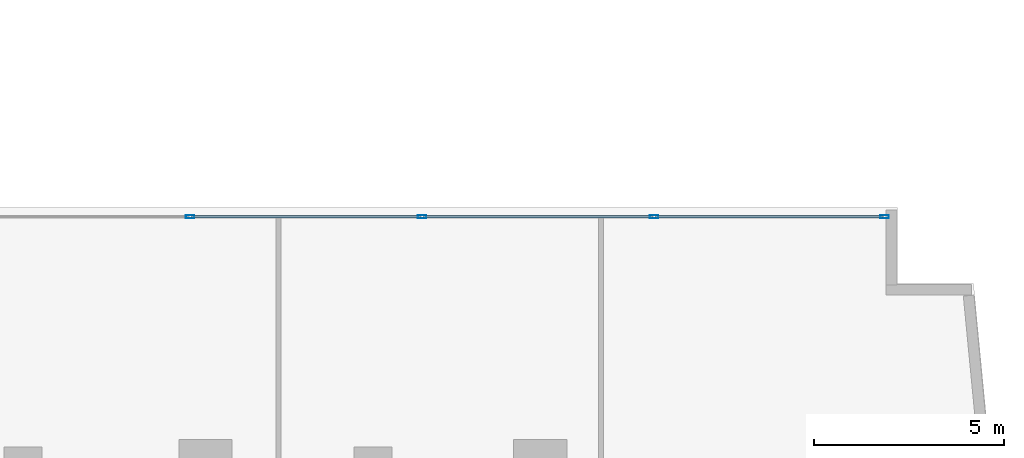
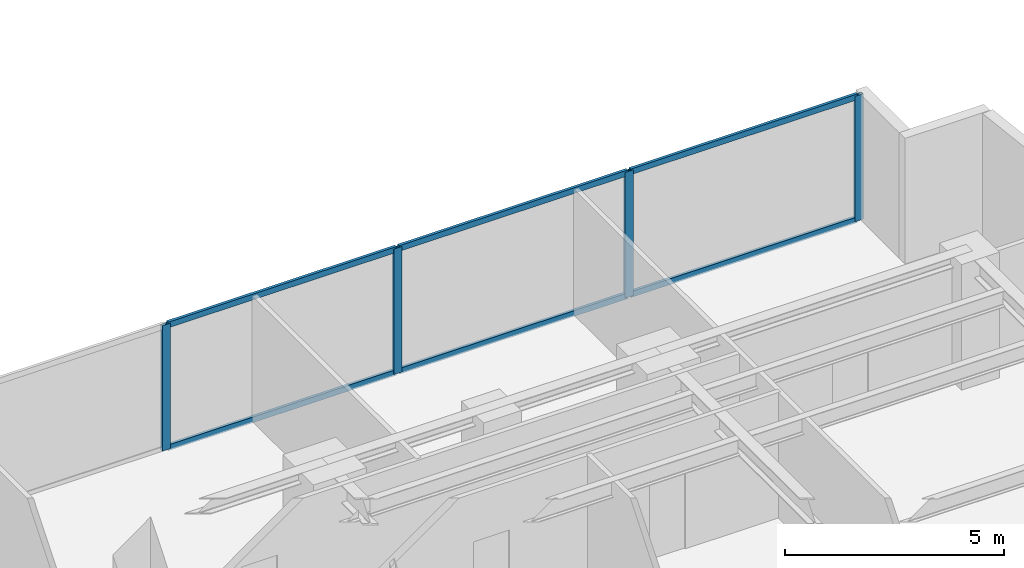
# One storey, part 13 of 25: 10 members, 1 element without a shape of its own.
"""IFC4 building model written with IfcOpenShell, lengths in metres."""

import ifcopenshell
import ifcopenshell.guid

model = None  # the IFC model being written
_history = None  # IfcOwnerHistory: only IFC2X3 demands one
_inside = {}  # id of a spatial element -> (the spatial element, [elements in it])
_under = {}  # id of a project, library or spatial element -> (it, [spatial elements below it])
_declared = {}  # id of a project -> (the project, [libraries it declares])
_typed = {}  # id of a type object -> (the type object, [elements of that type])
_made_of = {}  # id of a material, layer set ... -> (it, [elements and type objects made of it])


def new_model(schema):
    """Start an empty IFC model of exactly this schema.

    Asked for "IFC4X3", IfcOpenShell would pick the latest addendum, in which some entities
    have other attributes; the version numbers below select the first issue.
    IFC2X3 requires an IfcOwnerHistory on every rooted entity: one is made here for all.
    """
    global model, _history
    if schema == "IFC4X3":
        model = ifcopenshell.file(schema_version=(4, 3, 0, 0))
    else:
        model = ifcopenshell.file(schema=schema)
    _inside.clear()
    _under.clear()
    _declared.clear()
    _typed.clear()
    _made_of.clear()
    _history = None
    if model.schema == "IFC2X3":
        org = make("IfcOrganization", Name="unknown")
        user = make(
            "IfcPersonAndOrganization",
            ThePerson=make("IfcPerson", FamilyName="unknown"),
            TheOrganization=org,
        )
        app = make(
            "IfcApplication",
            ApplicationDeveloper=org,
            Version="unknown",
            ApplicationFullName="unknown",
            ApplicationIdentifier="unknown",
        )
        _history = make(
            "IfcOwnerHistory",
            OwningUser=user,
            OwningApplication=app,
            ChangeAction="ADDED",
            CreationDate=0,
        )
    return model


def make(cls, **values):
    """One entity of the class cls with the attributes given. An attribute that is None is left unset."""
    return model.create_entity(
        cls, **{name: value for name, value in values.items() if value is not None}
    )


def rooted(cls, **values):
    """An entity with a GlobalId (a new one), such as an element, a storey or a relation."""
    return make(cls, GlobalId=ifcopenshell.guid.new(), OwnerHistory=_history, **values)


def si_unit(unit_type, name, prefix=None):
    """IfcSIUnit, for example si_unit("LENGTHUNIT", "METRE", prefix="MILLI")."""
    return make("IfcSIUnit", UnitType=unit_type, Prefix=prefix, Name=name)


def assignment(units):
    """IfcUnitAssignment: the units of a project."""
    return None if units is None else make("IfcUnitAssignment", Units=units)


def point(xyz):
    """IfcCartesianPoint."""
    return None if xyz is None else make("IfcCartesianPoint", Coordinates=xyz)


def direction(xyz):
    """IfcDirection."""
    return None if xyz is None else make("IfcDirection", DirectionRatios=xyz)


def frame(location, z_axis=None, x_axis=None):
    """IfcAxis2Placement3D, a coordinate frame: its origin and axes. An axis left out is left unset."""
    return make(
        "IfcAxis2Placement3D",
        Location=point(location),
        Axis=direction(z_axis),
        RefDirection=direction(x_axis),
    )


def frame_2d(location, x_axis=None):
    """IfcAxis2Placement2D, a coordinate frame in the plane: its origin and x axis."""
    return make(
        "IfcAxis2Placement2D", Location=point(location), RefDirection=direction(x_axis)
    )


def origin():
    """The frame at (0, 0, 0) with its axes left unset."""
    return frame((0.0, 0.0, 0.0))


def origin_with_axes():
    """The frame at (0, 0, 0) with the z axis (0, 0, 1) and the x axis (1, 0, 0) written out."""
    return frame((0.0, 0.0, 0.0), z_axis=(0.0, 0.0, 1.0), x_axis=(1.0, 0.0, 0.0))


def origin_2d():
    """The frame at (0, 0) in the plane with its x axis left unset."""
    return frame_2d((0.0, 0.0))


def place(relative_to, where):
    """IfcLocalPlacement: puts the frame where relative to a parent placement (None: the world)."""
    return make(
        "IfcLocalPlacement", PlacementRelTo=relative_to, RelativePlacement=where
    )


def context(
    kind, dimensions, precision=None, world=None, true_north=None, identifier=None
):
    """IfcGeometricRepresentationContext, for example the 3D "Model" context."""
    return make(
        "IfcGeometricRepresentationContext",
        ContextIdentifier=identifier,
        ContextType=kind,
        CoordinateSpaceDimension=dimensions,
        Precision=precision,
        WorldCoordinateSystem=world,
        TrueNorth=true_north,
    )


def subcontext(parent, identifier, kind, view, scale=None):
    """IfcGeometricRepresentationSubContext, for example "Body" below "Model"."""
    return make(
        "IfcGeometricRepresentationSubContext",
        ContextIdentifier=identifier,
        ContextType=kind,
        ParentContext=parent,
        TargetScale=scale,
        TargetView=view,
    )


def project(units=None, contexts=None):
    """IfcProject with its units and contexts."""
    return rooted(
        "IfcProject",
        Name="project",
        RepresentationContexts=contexts,
        UnitsInContext=assignment(units),
    )


def spatial(cls, under=None, at=None, **own):
    """A site, building, storey or space (cls), placed at a placement, below another one or the project."""
    s = rooted(cls, ObjectPlacement=at, **own)
    if under is not None:
        _under.setdefault(under.id(), (under, []))[1].append(s)
    return s


def profile(cls, at=None, kind="AREA", **sizes):
    """A parametric profile (cls). Its sizes go by their IFC names, for example OverallWidth=200.0."""
    return make(cls, ProfileType=kind, Position=at, **sizes)


def hollow_rectangle(**sizes):
    """IfcRectangleHollowProfileDef."""
    return profile("IfcRectangleHollowProfileDef", **sizes)


def extrude(swept, where, along, depth):
    """IfcExtrudedAreaSolid: the profile swept, set in the frame where, extruded along a direction by depth."""
    return make(
        "IfcExtrudedAreaSolid",
        SweptArea=swept,
        Position=where,
        ExtrudedDirection=direction(along),
        Depth=depth,
    )


def shape(context_of_items, identifier, shape_type, items):
    """IfcShapeRepresentation: the items that make up one representation, for example the "Body"."""
    return make(
        "IfcShapeRepresentation",
        ContextOfItems=context_of_items,
        RepresentationIdentifier=identifier,
        RepresentationType=shape_type,
        Items=items,
    )


def source(mapping_origin, context_of_items, identifier, shape_type, items):
    """IfcRepresentationMap: a shape defined once, which mapped items show again and again."""
    return make(
        "IfcRepresentationMap",
        MappingOrigin=mapping_origin,
        MappedRepresentation=shape(context_of_items, identifier, shape_type, items),
    )


def transform(
    local_origin,
    x_axis=None,
    y_axis=None,
    z_axis=None,
    scale=None,
    scale2=None,
    scale3=None,
    uniform=True,
):
    """IfcCartesianTransformationOperator3D, or its non-uniform kind. x_axis, y_axis, z_axis: its Axis1, 2, 3."""
    if uniform:
        return make(
            "IfcCartesianTransformationOperator3D",
            Axis1=direction(x_axis),
            Axis2=direction(y_axis),
            LocalOrigin=point(local_origin),
            Scale=scale,
            Axis3=direction(z_axis),
        )
    return make(
        "IfcCartesianTransformationOperator3DnonUniform",
        Axis1=direction(x_axis),
        Axis2=direction(y_axis),
        LocalOrigin=point(local_origin),
        Scale=scale,
        Axis3=direction(z_axis),
        Scale2=scale2,
        Scale3=scale3,
    )


def mapped(mapping_source, mapping_target):
    """IfcMappedItem: shows the shape of a source again, moved by a transform."""
    return make(
        "IfcMappedItem", MappingSource=mapping_source, MappingTarget=mapping_target
    )


def material(Name=None, Category=None):
    """IfcMaterial."""
    return make("IfcMaterial", Name=Name, Category=Category)


def layer(
    of_material, thickness, ventilated=None, Name=None, Category=None, Priority=None
):
    """IfcMaterialLayer: one layer of a wall or slab, of a material (None: an air gap)."""
    return make(
        "IfcMaterialLayer",
        Material=of_material,
        LayerThickness=thickness,
        IsVentilated=ventilated,
        Name=Name,
        Category=Category,
        Priority=Priority,
    )


def layer_set(layers, Name=None):
    """IfcMaterialLayerSet."""
    return make("IfcMaterialLayerSet", MaterialLayers=layers, LayerSetName=Name)


def material_profile(
    of_material, cross_section, Name=None, Category=None, Priority=None
):
    """IfcMaterialProfile: a cross section and its material."""
    return make(
        "IfcMaterialProfile",
        Name=Name,
        Material=of_material,
        Profile=cross_section,
        Priority=Priority,
        Category=Category,
    )


def profile_set(profiles, Name=None, composite=None):
    """IfcMaterialProfileSet."""
    return make(
        "IfcMaterialProfileSet",
        Name=Name,
        MaterialProfiles=profiles,
        CompositeProfile=composite,
    )


def made_of(thing, what):
    """Note that an element or type object is made of a material, layer set ...; save() writes the relation."""
    if what is not None:
        _made_of.setdefault(what.id(), (what, []))[1].append(thing)
    return thing


def type_object(cls, material=None, **own):
    """A type object (cls), such as IfcWallType, which elements share."""
    return made_of(rooted(cls, **own), material)


def element(
    cls,
    number,
    at=None,
    inside=None,
    cuts=None,
    type_object=None,
    material=None,
    context=None,
    identifier="Body",
    shape_type=None,
    held_by="IfcProductDefinitionShape",
    body=None,
    shapes=None,
    **own,
):
    """One element of the class cls, such as IfcWall. Its Tag is "e" and its number.

    at: its placement. inside: the storey or other place that contains it. cuts: it is an
    opening in that element (IfcRelVoidsElement). A single representation is given by context,
    identifier, shape_type and body (its items); several are given by shapes. held_by: the class
    of the entity that holds the representations. save() writes the other relations.
    """
    e = rooted(cls, Tag="e%d" % number, ObjectPlacement=at, **own)
    if body is not None:
        shapes = [shape(context, identifier, shape_type, body)]
    if shapes is not None:
        e.Representation = make(held_by, Representations=shapes)
    if inside is not None:
        _inside.setdefault(inside.id(), (inside, []))[1].append(e)
    if cuts is not None:
        rooted(
            "IfcRelVoidsElement", RelatingBuildingElement=cuts, RelatedOpeningElement=e
        )
    if type_object is not None:
        _typed.setdefault(type_object.id(), (type_object, []))[1].append(e)
    return made_of(e, material)


def aggregate(whole, parts):
    """IfcRelAggregates: a whole, such as a stair, and the parts it consists of."""
    return rooted("IfcRelAggregates", RelatingObject=whole, RelatedObjects=parts)


def save(model, path):
    """Write the relations noted so far, then the file.

    IfcRelAggregates (storeys below a building ...), IfcRelContainedInSpatialStructure (elements
    in a storey), IfcRelDefinesByType, IfcRelAssociatesMaterial and IfcRelDeclares: one each for
    every whole, place, type object, material and project.
    """
    for whole, parts in _under.values():
        aggregate(whole, parts)
    for where, things in _inside.values():
        rooted(
            "IfcRelContainedInSpatialStructure",
            RelatedElements=things,
            RelatingStructure=where,
        )
    for kind, things in _typed.values():
        rooted("IfcRelDefinesByType", RelatedObjects=things, RelatingType=kind)
    for what, things in _made_of.values():
        rooted("IfcRelAssociatesMaterial", RelatedObjects=things, RelatingMaterial=what)
    for by, libraries in _declared.values():
        rooted("IfcRelDeclares", RelatingContext=by, RelatedDefinitions=libraries)
    model.write(path)


model = new_model("IFC4")

# Units and contexts
model_context = context("Model", 3, precision=1e-05, world=origin(), true_north=direction((0.0, 1.0)))
body_context = subcontext(model_context, "Body", "Model", "MODEL_VIEW")
ifc_project = project(units=[si_unit("LENGTHUNIT", "METRE"), si_unit("AREAUNIT", "SQUARE_METRE"), si_unit("VOLUMEUNIT", "CUBIC_METRE"), si_unit("PLANEANGLEUNIT", "RADIAN"), si_unit("MASSUNIT", "GRAM", prefix="KILO")], contexts=[model_context])

# Site, building, storey
site_placement = place(None, origin())
site = spatial("IfcSite", under=ifc_project, at=site_placement, CompositionType="ELEMENT")
building_placement = place(site_placement, origin())
building = spatial("IfcBuilding", under=site, at=building_placement, Name="Kolvaren Waterfront Exchange", CompositionType="ELEMENT")
storey_placement = place(building_placement, frame((0.0, 0.0, 106.89990234375)))
storey = spatial("IfcBuildingStorey", under=building, at=storey_placement, Name="L27", CompositionType="ELEMENT", Elevation=106.89990234375)

# Curtain wall, members
ifc_material_1 = material(Name="Anodised bronze aluminium 6063-T6", Category="aluminium")
ifc_layer = layer(ifc_material_1, 0.219970703125, Name="Anodised bronze aluminium 6063-T6")
ifc_layer_set = layer_set([ifc_layer], Name="Anodised bronze aluminium 6063-T6")
curtain_wall_type = type_object("IfcCurtainWallType", Name="ARC-CW-SYS1", PredefinedType="USERDEFINED", material=ifc_layer_set)
curtain_wall_placement = place(storey_placement, origin())
curtain_wall = element("IfcCurtainWall", 1, at=curtain_wall_placement, inside=storey, type_object=curtain_wall_type, Name="L27 stick curtain wall CW1 (CW-L27-EN)", ObjectType="STICK CURTAIN WALL", PredefinedType="USERDEFINED")
ifc_material_2 = material(Name="Anodised aluminium 6063-T6", Category="aluminium")
ifc_material_profile_1 = material_profile(ifc_material_2, hollow_rectangle(XDim=0.074951171875, YDim=0.159912109375, WallThickness=0.00439453125, at=origin_2d()), Name="ALU-TRN-160x75x4.5")
ifc_profile_set_1 = profile_set([ifc_material_profile_1], Name="Anodised aluminium 6063-T6")
member_type_1 = type_object("IfcMemberType", Name="ARC-CWT-160", PredefinedType="USERDEFINED", material=ifc_profile_set_1)
shared_shape_1 = source(origin_with_axes(), body_context, "Body", "SweptSolid", [
    extrude(hollow_rectangle(XDim=0.074951171875, YDim=0.159912109375, WallThickness=0.00439453125, at=origin_2d()), origin(), (0.0, 0.0, 1.0), 6.0224609375),
])
member_1_placement = place(storey_placement, frame((36.4326171875, 23.9599609375, 0.03759765625), z_axis=(1.0, 0.0, 0.0), x_axis=(0.0, 1.0, 0.0)))
member_1 = element("IfcMember", 2, at=member_1_placement, type_object=member_type_1, Name="CW1 transom 2.1", ObjectType="TRANSOM", PredefinedType="USERDEFINED", context=body_context, shape_type="MappedRepresentation", body=[
    mapped(shared_shape_1, transform((0.0, 0.0, 0.0), x_axis=(1.0, 0.0, 0.0), y_axis=(0.0, 1.0, 0.0), z_axis=(0.0, 0.0, 1.0), scale=1.0)),
])
member_2_placement = place(storey_placement, frame((36.4326171875, 23.9599609375, 3.462646484375), z_axis=(1.0, 0.0, 0.0), x_axis=(0.0, 1.0, 0.0)))
member_2 = element("IfcMember", 3, at=member_2_placement, type_object=member_type_1, Name="CW1 transom 2.2", ObjectType="TRANSOM", PredefinedType="USERDEFINED", context=body_context, shape_type="MappedRepresentation", body=[
    mapped(shared_shape_1, transform((0.0, 0.0, 0.0), x_axis=(1.0, 0.0, 0.0), y_axis=(0.0, 1.0, 0.0), z_axis=(0.0, 0.0, 1.0), scale=1.0)),
])
shared_shape_2 = source(origin_with_axes(), body_context, "Body", "SweptSolid", [
    extrude(hollow_rectangle(XDim=0.074951171875, YDim=0.159912109375, WallThickness=0.00439453125, at=origin_2d()), origin(), (0.0, 0.0, 1.0), 6.022705078125),
])
member_3_placement = place(storey_placement, frame((42.534912109375, 23.9599609375, 0.03759765625), z_axis=(1.0, 0.0, 0.0), x_axis=(0.0, 1.0, 0.0)))
member_3 = element("IfcMember", 4, at=member_3_placement, type_object=member_type_1, Name="CW1 transom 3.1", ObjectType="TRANSOM", PredefinedType="USERDEFINED", context=body_context, shape_type="MappedRepresentation", body=[
    mapped(shared_shape_2, transform((0.0, 0.0, 0.0), x_axis=(1.0, 0.0, 0.0), y_axis=(0.0, 1.0, 0.0), z_axis=(0.0, 0.0, 1.0), scale=1.0)),
])
member_4_placement = place(storey_placement, frame((42.534912109375, 23.9599609375, 3.462646484375), z_axis=(1.0, 0.0, 0.0), x_axis=(0.0, 1.0, 0.0)))
member_4 = element("IfcMember", 5, at=member_4_placement, type_object=member_type_1, Name="CW1 transom 3.2", ObjectType="TRANSOM", PredefinedType="USERDEFINED", context=body_context, shape_type="MappedRepresentation", body=[
    mapped(shared_shape_2, transform((0.0, 0.0, 0.0), x_axis=(1.0, 0.0, 0.0), y_axis=(0.0, 1.0, 0.0), z_axis=(0.0, 0.0, 1.0), scale=1.0)),
])
shared_shape_3 = source(origin_with_axes(), body_context, "Body", "SweptSolid", [
    extrude(hollow_rectangle(XDim=0.074951171875, YDim=0.159912109375, WallThickness=0.00439453125, at=origin_2d()), origin(), (0.0, 0.0, 1.0), 5.982666015625),
])
member_5_placement = place(storey_placement, frame((48.637451171875, 23.9599609375, 0.03759765625), z_axis=(1.0, 0.0, 0.0), x_axis=(0.0, 1.0, 0.0)))
member_5 = element("IfcMember", 6, at=member_5_placement, type_object=member_type_1, Name="CW1 transom 4.1", ObjectType="TRANSOM", PredefinedType="USERDEFINED", context=body_context, shape_type="MappedRepresentation", body=[
    mapped(shared_shape_3, transform((0.0, 0.0, 0.0), x_axis=(1.0, 0.0, 0.0), y_axis=(0.0, 1.0, 0.0), z_axis=(0.0, 0.0, 1.0), scale=1.0)),
])
member_6_placement = place(storey_placement, frame((48.637451171875, 23.9599609375, 3.462646484375), z_axis=(1.0, 0.0, 0.0), x_axis=(0.0, 1.0, 0.0)))
member_6 = element("IfcMember", 7, at=member_6_placement, type_object=member_type_1, Name="CW1 transom 4.2", ObjectType="TRANSOM", PredefinedType="USERDEFINED", context=body_context, shape_type="MappedRepresentation", body=[
    mapped(shared_shape_3, transform((0.0, 0.0, 0.0), x_axis=(1.0, 0.0, 0.0), y_axis=(0.0, 1.0, 0.0), z_axis=(0.0, 0.0, 1.0), scale=1.0)),
])
ifc_material_profile_2 = material_profile(ifc_material_2, hollow_rectangle(XDim=0.080078125, YDim=0.219970703125, WallThickness=0.0048828125, at=origin_2d()), Name="ALU-MUL-220x80x5")
ifc_profile_set_2 = profile_set([ifc_material_profile_2], Name="Anodised aluminium 6063-T6")
member_type_2 = type_object("IfcMemberType", Name="ARC-CWM-220", PredefinedType="MULLION", material=ifc_profile_set_2)
shared_shape_4 = source(origin_with_axes(), body_context, "Body", "SweptSolid", [
    extrude(hollow_rectangle(XDim=0.080078125, YDim=0.219970703125, WallThickness=0.0048828125, at=origin_2d()), origin(), (0.0, 0.0, 1.0), 3.5),
])
member_7_placement = place(storey_placement, frame((36.392578125, 23.9599609375, 0.0), z_axis=(0.0, 0.0, 1.0), x_axis=(0.0, 1.0, 0.0)))
member_7 = element("IfcMember", 8, at=member_7_placement, type_object=member_type_2, Name="CW1 mullion 2", PredefinedType="MULLION", context=body_context, shape_type="MappedRepresentation", body=[
    mapped(shared_shape_4, transform((0.0, 0.0, 0.0), x_axis=(1.0, 0.0, 0.0), y_axis=(0.0, 1.0, 0.0), z_axis=(0.0, 0.0, 1.0), scale=1.0)),
])
member_8_placement = place(storey_placement, frame((42.4951171875, 23.9599609375, 0.0), z_axis=(0.0, 0.0, 1.0), x_axis=(0.0, 1.0, 0.0)))
member_8 = element("IfcMember", 9, at=member_8_placement, type_object=member_type_2, Name="CW1 mullion 3", PredefinedType="MULLION", context=body_context, shape_type="MappedRepresentation", body=[
    mapped(shared_shape_4, transform((0.0, 0.0, 0.0), x_axis=(1.0, 0.0, 0.0), y_axis=(0.0, 1.0, 0.0), z_axis=(0.0, 0.0, 1.0), scale=1.0)),
])
member_9_placement = place(storey_placement, frame((48.597412109375, 23.9599609375, 0.0), z_axis=(0.0, 0.0, 1.0), x_axis=(0.0, 1.0, 0.0)))
member_9 = element("IfcMember", 10, at=member_9_placement, type_object=member_type_2, Name="CW1 mullion 4", PredefinedType="MULLION", context=body_context, shape_type="MappedRepresentation", body=[
    mapped(shared_shape_4, transform((0.0, 0.0, 0.0), x_axis=(1.0, 0.0, 0.0), y_axis=(0.0, 1.0, 0.0), z_axis=(0.0, 0.0, 1.0), scale=1.0)),
])
member_10_placement = place(storey_placement, frame((54.659912109375, 23.9599609375, 0.0), z_axis=(0.0, 0.0, 1.0), x_axis=(0.0, 1.0, 0.0)))
member_10 = element("IfcMember", 11, at=member_10_placement, type_object=member_type_2, Name="CW1 mullion 5", PredefinedType="MULLION", context=body_context, shape_type="MappedRepresentation", body=[
    mapped(shared_shape_4, transform((0.0, 0.0, 0.0), x_axis=(1.0, 0.0, 0.0), y_axis=(0.0, 1.0, 0.0), z_axis=(0.0, 0.0, 1.0), scale=1.0)),
])
aggregate(curtain_wall, [member_7, member_8, member_9, member_10, member_1, member_2, member_3, member_4, member_5, member_6])

save(model, "model.ifc")
